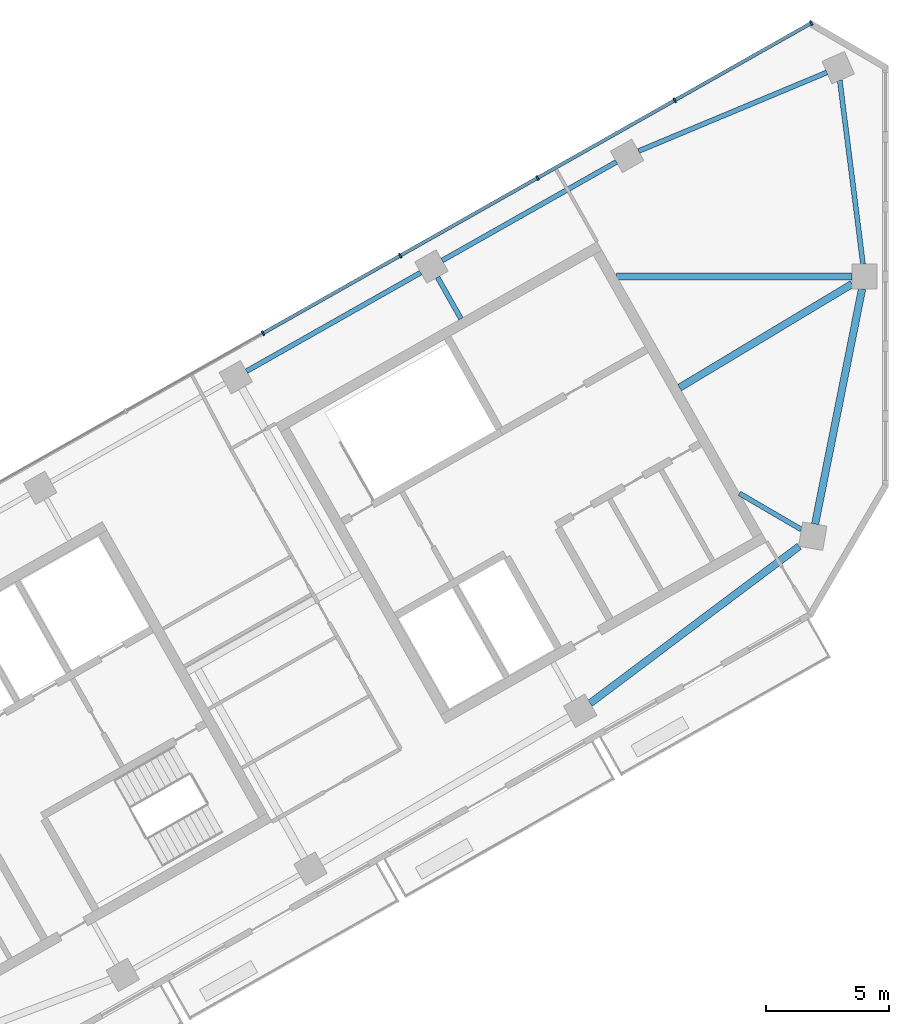
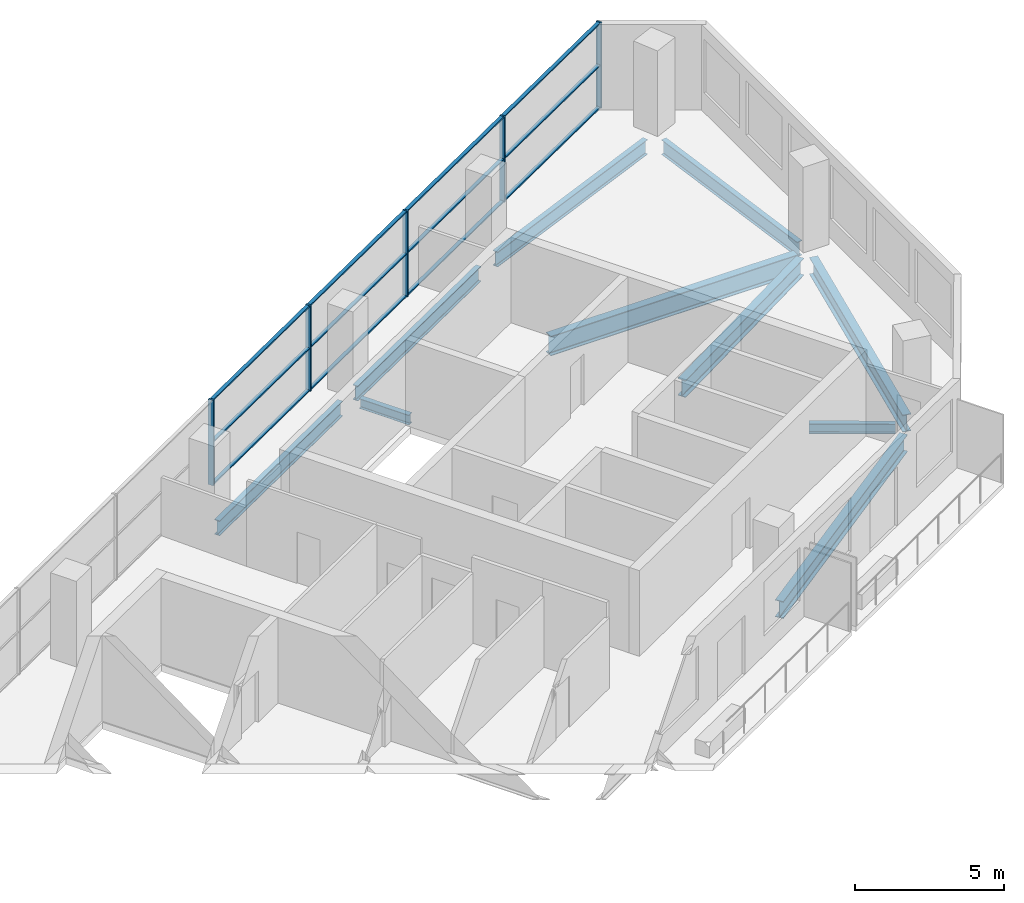
# One storey, part 4 of 10: 17 members, 10 beams, 1 element without a shape of its own.
"""IFC4 building model written with IfcOpenShell, lengths in metres."""

from ifc_helpers import new_model, si_unit, direction, frame, origin, origin_2d, place, context, subcontext, project, spatial, rectangle, i_section, extrude, material, material_profile, profile_set, type_object, element, aggregate, save


model = new_model("IFC4")

# Units and contexts
model_context = context("Model", 3, precision=1e-05, world=origin(), true_north=direction((0.0, 1.0)))
body_context = subcontext(model_context, "Body", "Model", "MODEL_VIEW")
ifc_project = project(units=[si_unit("LENGTHUNIT", "METRE"), si_unit("AREAUNIT", "SQUARE_METRE"), si_unit("VOLUMEUNIT", "CUBIC_METRE"), si_unit("PLANEANGLEUNIT", "RADIAN"), si_unit("MASSUNIT", "GRAM", prefix="KILO")], contexts=[model_context])

# Site, building, storey
site_placement = place(None, origin())
site = spatial("IfcSite", under=ifc_project, at=site_placement, CompositionType="ELEMENT")
building_placement = place(site_placement, origin())
building = spatial("IfcBuilding", under=site, at=building_placement, Name="Binnacle Exchange Tower", CompositionType="ELEMENT")
storey_placement = place(building_placement, frame((0.0, 0.0, 343.10009765625)))
storey = spatial("IfcBuildingStorey", under=building, at=storey_placement, Name="L78", CompositionType="ELEMENT", Elevation=343.10009765625)

# Curtain wall, members
ifc_material_1 = material(Name="Bronze anodised aluminium frame", Category="aluminium")
curtain_wall_type = type_object("IfcCurtainWallType", Name="External wall - curtain wall executive floors", PredefinedType="NOTDEFINED", material=ifc_material_1)
curtain_wall_placement = place(storey_placement, origin())
curtain_wall = element("IfcCurtainWall", 1, at=curtain_wall_placement, inside=storey, type_object=curtain_wall_type, Name="External wall curtain wall CW4-H03 L78", PredefinedType="NOTDEFINED")
ifc_material_profile_1 = material_profile(ifc_material_1, rectangle(XDim=0.199951171875, YDim=0.070068359375, at=origin_2d()), Name="AL 70x200")
ifc_profile_set_1 = profile_set([ifc_material_profile_1], Name="Bronze anodised aluminium frame")
member_type_1 = type_object("IfcMemberType", Name="CW4 MULLION 70x200", PredefinedType="MULLION", material=ifc_profile_set_1)
member_1_placement = place(storey_placement, frame((-3.01416015625, 70.294677734375, 0.0), z_axis=(0.0, 0.0, 1.0), x_axis=(0.492423763019, -0.870355581136, 0.0)))
member_1 = element("IfcMember", 2, at=member_1_placement, type_object=member_type_1, Name="CW4-H03 mullion 1", PredefinedType="MULLION", context=body_context, shape_type="SweptSolid", body=[
    extrude(rectangle(XDim=0.199951171875, YDim=0.070068359375, at=origin_2d()), origin(), (0.0, 0.0, 1.0), 3.5),
])
member_2_placement = place(storey_placement, frame((-8.55859375, 67.15771484375, 0.0), z_axis=(0.0, 0.0, 1.0), x_axis=(0.492423763019, -0.870355581136, 0.0)))
member_2 = element("IfcMember", 3, at=member_2_placement, type_object=member_type_1, Name="CW4-H03 mullion 2", PredefinedType="MULLION", context=body_context, shape_type="SweptSolid", body=[
    extrude(rectangle(XDim=0.199951171875, YDim=0.070068359375, at=origin_2d()), origin(), (0.0, 0.0, 1.0), 3.5),
])
member_3_placement = place(storey_placement, frame((-14.13330078125, 64.003662109375, 0.0), z_axis=(0.0, 0.0, 1.0), x_axis=(0.492423763019, -0.870355581136, 0.0)))
member_3 = element("IfcMember", 4, at=member_3_placement, type_object=member_type_1, Name="CW4-H03 mullion 3", PredefinedType="MULLION", context=body_context, shape_type="SweptSolid", body=[
    extrude(rectangle(XDim=0.199951171875, YDim=0.070068359375, at=origin_2d()), origin(), (0.0, 0.0, 1.0), 3.5),
])
member_4_placement = place(storey_placement, frame((-19.708251953125, 60.849609375, 0.0), z_axis=(0.0, 0.0, 1.0), x_axis=(0.492423763019, -0.870355581136, 0.0)))
member_4 = element("IfcMember", 5, at=member_4_placement, type_object=member_type_1, Name="CW4-H03 mullion 4", PredefinedType="MULLION", context=body_context, shape_type="SweptSolid", body=[
    extrude(rectangle(XDim=0.199951171875, YDim=0.070068359375, at=origin_2d()), origin(), (0.0, 0.0, 1.0), 3.5),
])
member_5_placement = place(storey_placement, frame((-25.283203125, 57.695556640625, 0.0), z_axis=(0.0, 0.0, 1.0), x_axis=(0.492423763019, -0.870355581136, 0.0)))
member_5 = element("IfcMember", 6, at=member_5_placement, type_object=member_type_1, Name="CW4-H03 mullion 5", PredefinedType="MULLION", context=body_context, shape_type="SweptSolid", body=[
    extrude(rectangle(XDim=0.199951171875, YDim=0.070068359375, at=origin_2d()), origin(), (0.0, 0.0, 1.0), 3.5),
])
ifc_material_profile_2 = material_profile(ifc_material_1, rectangle(XDim=0.139892578125, YDim=0.050048828125, at=origin_2d()), Name="AL 140x50")
ifc_profile_set_2 = profile_set([ifc_material_profile_2], Name="Bronze anodised aluminium frame")
member_type_2 = type_object("IfcMemberType", Name="CW4 TRANSOM 50x140", PredefinedType="USERDEFINED", material=ifc_profile_set_2)
member_6_placement = place(storey_placement, frame((-3.044677734375, 70.27734375, 0.02490234375), z_axis=(-0.870359957561, -0.492416027637, 0.0), x_axis=(0.492416027637, -0.870359957561, 0.0)))
member_6 = element("IfcMember", 7, at=member_6_placement, type_object=member_type_2, Name="CW4-H03 transom 1.1", ObjectType="TRANSOM", PredefinedType="USERDEFINED", context=body_context, shape_type="SweptSolid", body=[
    extrude(rectangle(XDim=0.139892578125, YDim=0.050048828125, at=origin_2d()), origin(), (0.0, 0.0, 1.0), 6.300048828125),
])
member_7_placement = place(storey_placement, frame((-3.044677734375, 70.27734375, 1.75), z_axis=(-0.870359957561, -0.492416027637, 0.0), x_axis=(0.492416027637, -0.870359957561, 0.0)))
member_7 = element("IfcMember", 8, at=member_7_placement, type_object=member_type_2, Name="CW4-H03 transom 1.2", ObjectType="TRANSOM", PredefinedType="USERDEFINED", context=body_context, shape_type="SweptSolid", body=[
    extrude(rectangle(XDim=0.139892578125, YDim=0.050048828125, at=origin_2d()), origin(), (0.0, 0.0, 1.0), 6.300048828125),
])
member_8_placement = place(storey_placement, frame((-3.044677734375, 70.27734375, 3.474853515625), z_axis=(-0.870359957561, -0.492416027637, 0.0), x_axis=(0.492416027637, -0.870359957561, 0.0)))
member_8 = element("IfcMember", 9, at=member_8_placement, type_object=member_type_2, Name="CW4-H03 transom 1.3", ObjectType="TRANSOM", PredefinedType="USERDEFINED", context=body_context, shape_type="SweptSolid", body=[
    extrude(rectangle(XDim=0.139892578125, YDim=0.050048828125, at=origin_2d()), origin(), (0.0, 0.0, 1.0), 6.300048828125),
])
member_9_placement = place(storey_placement, frame((-8.589111328125, 67.140625, 0.02490234375), z_axis=(-0.870355335808, -0.492424196633, 0.0), x_axis=(0.492424196633, -0.870355335808, 0.0)))
member_9 = element("IfcMember", 10, at=member_9_placement, type_object=member_type_2, Name="CW4-H03 transom 2.1", ObjectType="TRANSOM", PredefinedType="USERDEFINED", context=body_context, shape_type="SweptSolid", body=[
    extrude(rectangle(XDim=0.139892578125, YDim=0.050048828125, at=origin_2d()), origin(), (0.0, 0.0, 1.0), 6.335205078125),
])
member_10_placement = place(storey_placement, frame((-8.589111328125, 67.140625, 1.75), z_axis=(-0.870355335808, -0.492424196633, 0.0), x_axis=(0.492424196633, -0.870355335808, 0.0)))
member_10 = element("IfcMember", 11, at=member_10_placement, type_object=member_type_2, Name="CW4-H03 transom 2.2", ObjectType="TRANSOM", PredefinedType="USERDEFINED", context=body_context, shape_type="SweptSolid", body=[
    extrude(rectangle(XDim=0.139892578125, YDim=0.050048828125, at=origin_2d()), origin(), (0.0, 0.0, 1.0), 6.335205078125),
])
member_11_placement = place(storey_placement, frame((-8.589111328125, 67.140625, 3.474853515625), z_axis=(-0.870355335808, -0.492424196633, 0.0), x_axis=(0.492424196633, -0.870355335808, 0.0)))
member_11 = element("IfcMember", 12, at=member_11_placement, type_object=member_type_2, Name="CW4-H03 transom 2.3", ObjectType="TRANSOM", PredefinedType="USERDEFINED", context=body_context, shape_type="SweptSolid", body=[
    extrude(rectangle(XDim=0.139892578125, YDim=0.050048828125, at=origin_2d()), origin(), (0.0, 0.0, 1.0), 6.335205078125),
])
member_12_placement = place(storey_placement, frame((-14.163818359375, 63.986328125, 0.02490234375), z_axis=(-0.870355335808, -0.492424196633, 0.0), x_axis=(0.492424196633, -0.870355335808, 0.0)))
member_12 = element("IfcMember", 13, at=member_12_placement, type_object=member_type_2, Name="CW4-H03 transom 3.1", ObjectType="TRANSOM", PredefinedType="USERDEFINED", context=body_context, shape_type="SweptSolid", body=[
    extrude(rectangle(XDim=0.139892578125, YDim=0.050048828125, at=origin_2d()), origin(), (0.0, 0.0, 1.0), 6.335205078125),
])
member_13_placement = place(storey_placement, frame((-14.163818359375, 63.986328125, 1.75), z_axis=(-0.870355335808, -0.492424196633, 0.0), x_axis=(0.492424196633, -0.870355335808, 0.0)))
member_13 = element("IfcMember", 14, at=member_13_placement, type_object=member_type_2, Name="CW4-H03 transom 3.2", ObjectType="TRANSOM", PredefinedType="USERDEFINED", context=body_context, shape_type="SweptSolid", body=[
    extrude(rectangle(XDim=0.139892578125, YDim=0.050048828125, at=origin_2d()), origin(), (0.0, 0.0, 1.0), 6.335205078125),
])
member_14_placement = place(storey_placement, frame((-14.163818359375, 63.986328125, 3.474853515625), z_axis=(-0.870355335808, -0.492424196633, 0.0), x_axis=(0.492424196633, -0.870355335808, 0.0)))
member_14 = element("IfcMember", 15, at=member_14_placement, type_object=member_type_2, Name="CW4-H03 transom 3.3", ObjectType="TRANSOM", PredefinedType="USERDEFINED", context=body_context, shape_type="SweptSolid", body=[
    extrude(rectangle(XDim=0.139892578125, YDim=0.050048828125, at=origin_2d()), origin(), (0.0, 0.0, 1.0), 6.335205078125),
])
member_15_placement = place(storey_placement, frame((-19.73876953125, 60.832275390625, 0.02490234375), z_axis=(-0.870355335808, -0.492424196633, 0.0), x_axis=(0.492424196633, -0.870355335808, 0.0)))
member_15 = element("IfcMember", 16, at=member_15_placement, type_object=member_type_2, Name="CW4-H03 transom 4.1", ObjectType="TRANSOM", PredefinedType="USERDEFINED", context=body_context, shape_type="SweptSolid", body=[
    extrude(rectangle(XDim=0.139892578125, YDim=0.050048828125, at=origin_2d()), origin(), (0.0, 0.0, 1.0), 6.335205078125),
])
member_16_placement = place(storey_placement, frame((-19.73876953125, 60.832275390625, 1.75), z_axis=(-0.870355335808, -0.492424196633, 0.0), x_axis=(0.492424196633, -0.870355335808, 0.0)))
member_16 = element("IfcMember", 17, at=member_16_placement, type_object=member_type_2, Name="CW4-H03 transom 4.2", ObjectType="TRANSOM", PredefinedType="USERDEFINED", context=body_context, shape_type="SweptSolid", body=[
    extrude(rectangle(XDim=0.139892578125, YDim=0.050048828125, at=origin_2d()), origin(), (0.0, 0.0, 1.0), 6.335205078125),
])
member_17_placement = place(storey_placement, frame((-19.73876953125, 60.832275390625, 3.474853515625), z_axis=(-0.870355335808, -0.492424196633, 0.0), x_axis=(0.492424196633, -0.870355335808, 0.0)))
member_17 = element("IfcMember", 18, at=member_17_placement, type_object=member_type_2, Name="CW4-H03 transom 4.3", ObjectType="TRANSOM", PredefinedType="USERDEFINED", context=body_context, shape_type="SweptSolid", body=[
    extrude(rectangle(XDim=0.139892578125, YDim=0.050048828125, at=origin_2d()), origin(), (0.0, 0.0, 1.0), 6.335205078125),
])
aggregate(curtain_wall, [member_1, member_2, member_3, member_4, member_5, member_6, member_7, member_8, member_9, member_10, member_11, member_12, member_13, member_14, member_15, member_16, member_17])

# Beams
ifc_material_2 = material(Name="Steel S355 (SHN355)", Category="steel")
ifc_material_profile_3 = material_profile(ifc_material_2, i_section(OverallWidth=0.200927734375, OverallDepth=0.60595703125, WebThickness=0.011962890625, FlangeThickness=0.02001953125, FilletRadius=0.02197265625, at=origin_2d()), Name="H 606x201x12x20")
ifc_profile_set_3 = profile_set([ifc_material_profile_3], Name="Steel S355 (SHN355)")
beam_type_1 = type_object("IfcBeamType", Name="Edge girder H 606x201x12x20 Steel S355 (SHN355)", PredefinedType="SPANDREL", material=ifc_profile_set_3)
beam_1_placement = place(storey_placement, frame((-0.9130859375, 60.5, -0.5830078125), z_axis=(-0.125172722987, 0.992134965325, 0.0), x_axis=(-0.992134965325, -0.125172722987, 0.0)))
element("IfcBeam", 19, at=beam_1_placement, inside=storey, type_object=beam_type_1, Name="S:BM:edge:L78:018", PredefinedType="SPANDREL", context=body_context, shape_type="SweptSolid", body=[
    extrude(i_section(OverallWidth=0.200927734375, OverallDepth=0.60595703125, WebThickness=0.011962890625, FlangeThickness=0.02001953125, FilletRadius=0.02197265625, at=origin_2d()), origin(), (0.0, 0.0, 1.0), 7.524658203125),
])
ifc_material_profile_4 = material_profile(ifc_material_2, i_section(OverallWidth=0.201904296875, OverallDepth=0.612060546875, WebThickness=0.012939453125, FlangeThickness=0.02294921875, FilletRadius=0.02197265625, at=origin_2d()), Name="H 612x202x13x23")
ifc_profile_set_4 = profile_set([ifc_material_profile_4], Name="Steel S355 (SHN355)")
beam_type_2 = type_object("IfcBeamType", Name="Edge girder H 612x202x13x23 Steel S355 (SHN355)", PredefinedType="SPANDREL", material=ifc_profile_set_4)
beam_2_placement = place(storey_placement, frame((-18.87646484375, 60.159912109375, -0.586181640625), z_axis=(-0.870353024448, -0.49242828192, 0.0), x_axis=(0.49242828192, -0.870353024448, 0.0)))
element("IfcBeam", 20, at=beam_2_placement, inside=storey, type_object=beam_type_2, Name="S:BM:edge:L78:013", PredefinedType="SPANDREL", context=body_context, shape_type="SweptSolid", body=[
    extrude(i_section(OverallWidth=0.201904296875, OverallDepth=0.612060546875, WebThickness=0.012939453125, FlangeThickness=0.02294921875, FilletRadius=0.02197265625, at=origin_2d()), origin(), (0.0, 0.0, 1.0), 8.1298828125),
])
beam_3_placement = place(storey_placement, frame((-10.930419921875, 64.655517578125, -0.586181640625), z_axis=(-0.870345742373, -0.492441152558, 0.0), x_axis=(0.492441152558, -0.870345742373, 0.0)))
element("IfcBeam", 21, at=beam_3_placement, inside=storey, type_object=beam_type_2, Name="S:BM:edge:L78:015", PredefinedType="SPANDREL", context=body_context, shape_type="SweptSolid", body=[
    extrude(i_section(OverallWidth=0.201904296875, OverallDepth=0.612060546875, WebThickness=0.012939453125, FlangeThickness=0.02294921875, FilletRadius=0.02197265625, at=origin_2d()), origin(), (0.0, 0.0, 1.0), 8.129638671875),
])
beam_4_placement = place(storey_placement, frame((-2.381591796875, 68.29052734375, -0.586181640625), z_axis=(-0.922743712975, -0.385414115161, 0.0), x_axis=(0.385414115161, -0.922743712975, 0.0)))
element("IfcBeam", 22, at=beam_4_placement, inside=storey, type_object=beam_type_2, Name="S:BM:edge:L78:017", PredefinedType="SPANDREL", context=body_context, shape_type="SweptSolid", body=[
    extrude(i_section(OverallWidth=0.201904296875, OverallDepth=0.612060546875, WebThickness=0.012939453125, FlangeThickness=0.02294921875, FilletRadius=0.02197265625, at=origin_2d()), origin(), (0.0, 0.0, 1.0), 8.289306640625),
])
ifc_material_profile_5 = material_profile(ifc_material_2, i_section(OverallWidth=0.300048828125, OverallDepth=0.699951171875, WebThickness=0.012939453125, FlangeThickness=0.02392578125, FilletRadius=0.028076171875, at=origin_2d()), Name="H 700x300x13x24")
ifc_profile_set_5 = profile_set([ifc_material_profile_5], Name="Steel S355 (SHN355)")
beam_type_3 = type_object("IfcBeamType", Name="Edge girder H 700x300x13x24 Steel S355 (SHN355)", PredefinedType="SPANDREL", material=ifc_profile_set_5)
beam_5_placement = place(storey_placement, frame((-11.996826171875, 42.666015625, -0.630126953125), z_axis=(0.799641252976, 0.600478031687, 0.0), x_axis=(-0.600478031687, 0.799641252976, 0.0)))
element("IfcBeam", 23, at=beam_5_placement, inside=storey, type_object=beam_type_3, Name="S:BM:edge:L78:014", PredefinedType="SPANDREL", context=body_context, shape_type="SweptSolid", body=[
    extrude(i_section(OverallWidth=0.300048828125, OverallDepth=0.699951171875, WebThickness=0.012939453125, FlangeThickness=0.02392578125, FilletRadius=0.028076171875, at=origin_2d()), origin(), (0.0, 0.0, 1.0), 10.62060546875),
])
beam_6_placement = place(storey_placement, frame((-2.857421875, 49.946044921875, -0.630126953125), z_axis=(0.195812523993, 0.98064134904, 0.0), x_axis=(-0.98064134904, 0.195812523993, 0.0)))
element("IfcBeam", 24, at=beam_6_placement, inside=storey, type_object=beam_type_3, Name="S:BM:edge:L78:016", PredefinedType="SPANDREL", context=body_context, shape_type="SweptSolid", body=[
    extrude(i_section(OverallWidth=0.300048828125, OverallDepth=0.699951171875, WebThickness=0.012939453125, FlangeThickness=0.02392578125, FilletRadius=0.028076171875, at=origin_2d()), origin(), (0.0, 0.0, 1.0), 9.74267578125),
])
ifc_material_profile_6 = material_profile(ifc_material_2, i_section(OverallWidth=0.199951171875, OverallDepth=0.39990234375, WebThickness=0.008056640625, FlangeThickness=0.012939453125, FilletRadius=0.01611328125, at=origin_2d()), Name="H 400x200x8x13")
ifc_profile_set_6 = profile_set([ifc_material_profile_6], Name="Steel S355 (SHN355)")
beam_type_4 = type_object("IfcBeamType", Name="Floor beam H 400x200x8x13 Steel S355 (SHN355)", PredefinedType="BEAM", material=ifc_profile_set_6)
beam_7_placement = place(storey_placement, frame((-18.195068359375, 59.970703125, -0.47998046875), z_axis=(0.492423244016, -0.870355874773, 0.0), x_axis=(0.870355874773, 0.492423244016, 0.0)))
element("IfcBeam", 25, at=beam_7_placement, inside=storey, type_object=beam_type_4, Name="S:BM:cross:L78:026", PredefinedType="BEAM", context=body_context, shape_type="SweptSolid", body=[
    extrude(i_section(OverallWidth=0.199951171875, OverallDepth=0.39990234375, WebThickness=0.008056640625, FlangeThickness=0.012939453125, FilletRadius=0.01611328125, at=origin_2d()), origin(), (0.0, 0.0, 1.0), 1.93408203125),
])
beam_8_placement = place(storey_placement, frame((-3.416259765625, 49.72412109375, -0.47998046875), z_axis=(-0.86381235495, 0.503813671346, 0.0), x_axis=(-0.503813671346, -0.86381235495, 0.0)))
element("IfcBeam", 26, at=beam_8_placement, inside=storey, type_object=beam_type_4, Name="S:BM:cross:L78:028", PredefinedType="BEAM", context=body_context, shape_type="SweptSolid", body=[
    extrude(i_section(OverallWidth=0.199951171875, OverallDepth=0.39990234375, WebThickness=0.008056640625, FlangeThickness=0.012939453125, FilletRadius=0.01611328125, at=origin_2d()), origin(), (0.0, 0.0, 1.0), 2.911376953125),
])
ifc_material_profile_7 = material_profile(ifc_material_2, i_section(OverallWidth=0.300048828125, OverallDepth=0.800048828125, WebThickness=0.013916015625, FlangeThickness=0.02587890625, FilletRadius=0.028076171875, at=origin_2d()), Name="H 800x300x14x26")
ifc_profile_set_7 = profile_set([ifc_material_profile_7], Name="Steel S355 (SHN355)")
beam_type_5 = type_object("IfcBeamType", Name="Floor beam H 800x300x14x26 Steel S355 (SHN355)", PredefinedType="BEAM", material=ifc_profile_set_7)
beam_9_placement = place(storey_placement, frame((-1.35009765625, 60.0, -0.68017578125), z_axis=(-1.0, 0.0, 0.0), x_axis=(0.0, -1.0, 0.0)))
element("IfcBeam", 27, at=beam_9_placement, inside=storey, type_object=beam_type_5, Name="S:BM:cross:L78:029", PredefinedType="BEAM", context=body_context, shape_type="SweptSolid", body=[
    extrude(i_section(OverallWidth=0.300048828125, OverallDepth=0.800048828125, WebThickness=0.013916015625, FlangeThickness=0.02587890625, FilletRadius=0.028076171875, at=origin_2d()), origin(), (0.0, 0.0, 1.0), 9.56494140625),
])
ifc_material_profile_8 = material_profile(ifc_material_2, i_section(OverallWidth=0.300048828125, OverallDepth=0.699951171875, WebThickness=0.012939453125, FlangeThickness=0.02392578125, FilletRadius=0.028076171875, at=origin_2d()), Name="H 700x300x13x24")
ifc_profile_set_8 = profile_set([ifc_material_profile_8], Name="Steel S355 (SHN355)")
beam_type_6 = type_object("IfcBeamType", Name="Spine girder H 700x300x13x24 Steel S355 (SHN355)", PredefinedType="BEAM", material=ifc_profile_set_8)
beam_10_placement = place(storey_placement, frame((-8.36328125, 55.489990234375, -0.630126953125), z_axis=(0.857382296764, 0.514680092091, 0.0), x_axis=(-0.514680092091, 0.857382296764, 0.0)))
element("IfcBeam", 28, at=beam_10_placement, inside=storey, type_object=beam_type_6, Name="S:BM:spine:L78:003", PredefinedType="BEAM", context=body_context, shape_type="SweptSolid", body=[
    extrude(i_section(OverallWidth=0.300048828125, OverallDepth=0.699951171875, WebThickness=0.012939453125, FlangeThickness=0.02392578125, FilletRadius=0.028076171875, at=origin_2d()), origin(), (0.0, 0.0, 1.0), 8.1796875),
])

save(model, "model.ifc")
